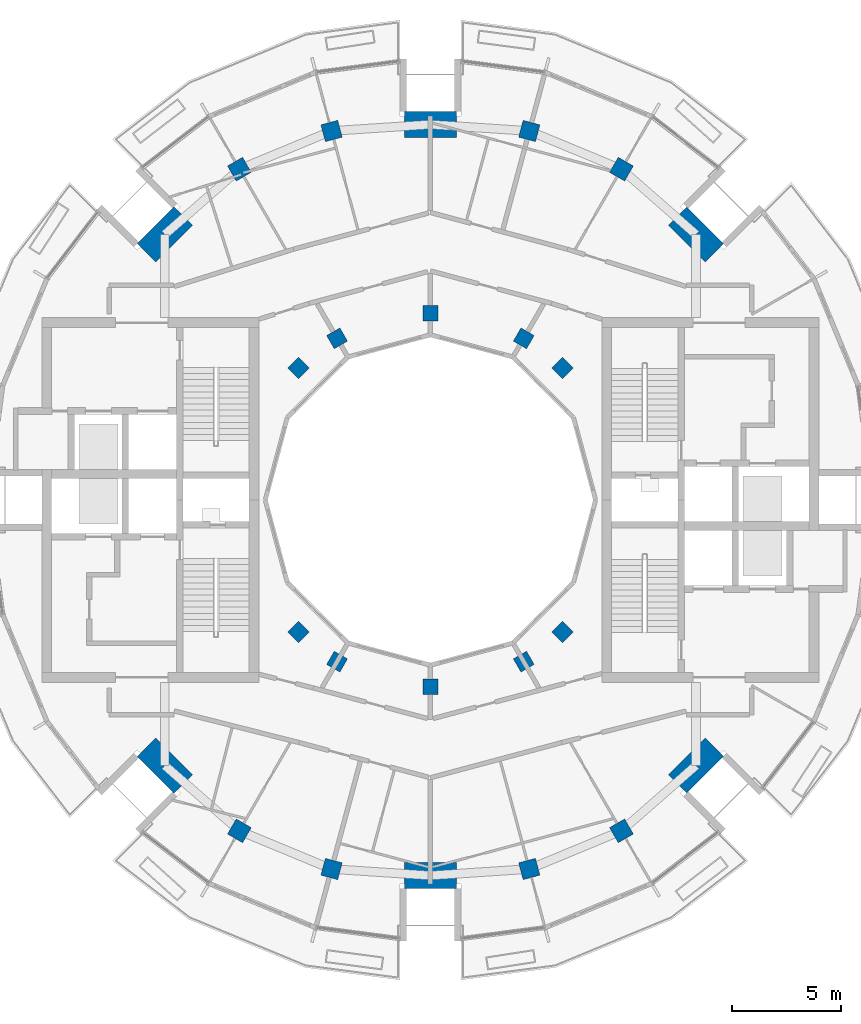
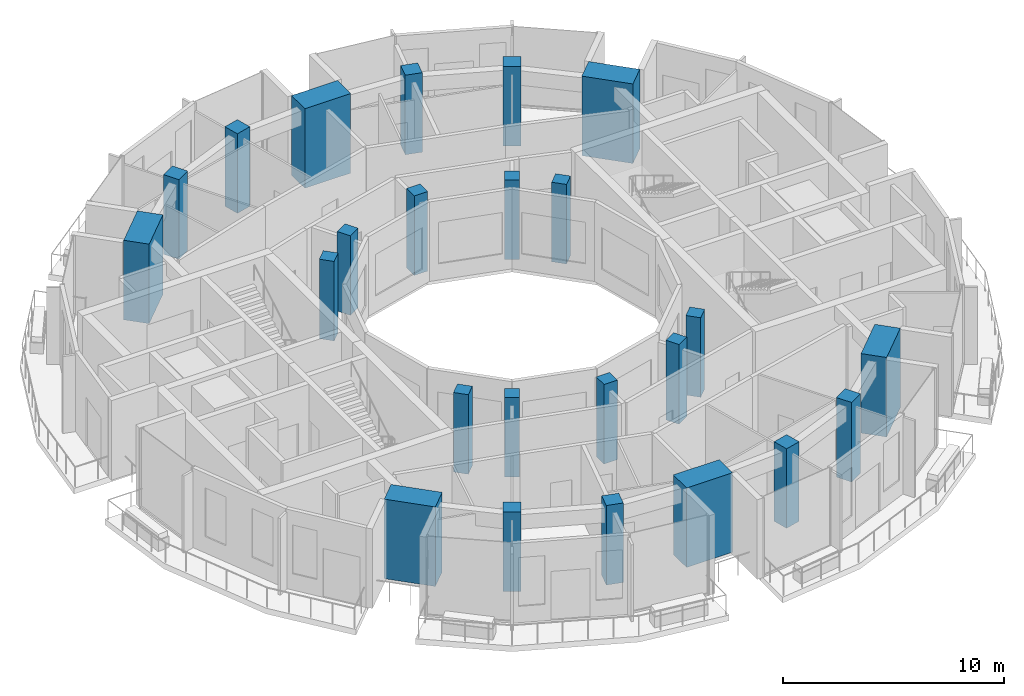
# One storey, part 1 of 15: 24 columns.
"""IFC4 building model written with IfcOpenShell, lengths in metres."""

from ifc_helpers import new_model, si_unit, direction, frame, origin, origin_2d, place, context, subcontext, project, spatial, rectangle, extrude, material, material_profile, profile_set, type_object, element, save


model = new_model("IFC4")

# Units and contexts
model_context = context("Model", 3, precision=1e-05, world=origin(), true_north=direction((0.0, 1.0)))
body_context = subcontext(model_context, "Body", "Model", "MODEL_VIEW")
ifc_project = project(units=[si_unit("LENGTHUNIT", "METRE"), si_unit("AREAUNIT", "SQUARE_METRE"), si_unit("VOLUMEUNIT", "CUBIC_METRE"), si_unit("PLANEANGLEUNIT", "RADIAN"), si_unit("MASSUNIT", "GRAM", prefix="KILO")], contexts=[model_context])

# Site, building, storey
site_placement = place(None, origin())
site = spatial("IfcSite", under=ifc_project, at=site_placement, CompositionType="ELEMENT")
building_placement = place(site_placement, origin())
building = spatial("IfcBuilding", under=site, at=building_placement, Name="Torre Brocal", CompositionType="ELEMENT")
storey_placement = place(building_placement, frame((0.0, 0.0, 314.89990234375)))
storey = spatial("IfcBuildingStorey", under=building, at=storey_placement, Name="L72", CompositionType="ELEMENT", Elevation=314.89990234375)

# Columns
ifc_material_1 = material(Name="Concrete C50", Category="concrete")
ifc_material_profile_1 = material_profile(ifc_material_1, rectangle(XDim=1.199951171875, YDim=2.39990234375, at=origin_2d()), Name="RC 1200X2400")
ifc_profile_set_1 = profile_set([ifc_material_profile_1], Name="Concrete C50")
column_type_1 = type_object("IfcColumnType", Name="RC COLUMN 1200X2400 C50", PredefinedType="COLUMN", material=ifc_profile_set_1)
for number, where, z_axis, x_axis, name in (
    (1, (92.23291015625, 87.23291015625, 0.0), (0.0, 0.0, 1.0), (0.707106781187, 0.707106781187, 0.0), "Column MCC-1"),
    (2, (80.0, 92.300048828125, 0.0), (0.0, 0.0, 1.0), (0.0, 1.0, 0.0), "Column MCC-2"),
    (3, (67.76708984375, 87.23291015625, 0.0), (0.0, 0.0, 1.0), (-0.707106781187, 0.707106781187, 0.0), "Column MCC-3"),
    (4, (67.76708984375, 62.76708984375, 0.0), (0.0, 0.0, 1.0), (-0.707106781187, -0.707106781187, 0.0), "Column MCC-5"),
    (5, (80.0, 57.699951171875, 0.0), (0.0, 0.0, 1.0), (0.0, -1.0, 0.0), "Column MCC-6"),
    (6, (92.23291015625, 62.76708984375, 0.0), (0.0, 0.0, 1.0), (0.707106781187, -0.707106781187, 0.0), "Column MCC-7"),
):
    element("IfcColumn", number, at=place(storey_placement, frame(where, z_axis=z_axis, x_axis=x_axis)), inside=storey, type_object=column_type_1, Name=name, PredefinedType="COLUMN", context=body_context, shape_type="SweptSolid", body=[
        extrude(rectangle(XDim=1.199951171875, YDim=2.39990234375, at=origin_2d()), origin(), (0.0, 0.0, 1.0), 4.400146484375),
    ])
ifc_material_2 = material(Name="Concrete C50", Category="concrete")
ifc_material_profile_2 = material_profile(ifc_material_2, rectangle(XDim=0.699951171875, YDim=0.699951171875, at=origin_2d()), Name="RC 700X700")
ifc_profile_set_2 = profile_set([ifc_material_profile_2], Name="Concrete C50")
column_type_2 = type_object("IfcColumnType", Name="RC COLUMN 700X700 C50", PredefinedType="COLUMN", material=ifc_profile_set_2)
for number, where, z_axis, x_axis, name in (
    (7, (86.0810546875, 81.0810546875, 0.0), (0.0, 0.0, 1.0), (0.707106781187, 0.707106781187, 0.0), "Column C-I03"),
    (8, (84.300048828125, 82.44775390625, 0.0), (0.0, 0.0, 1.0), (0.5, 0.866025403784, 0.0), "Column C-I04"),
    (9, (80.0, 83.60009765625, 0.0), (0.0, 0.0, 1.0), (0.0, 1.0, 0.0), "Column C-I06"),
    (10, (75.699951171875, 82.44775390625, 0.0), (0.0, 0.0, 1.0), (-0.5, 0.866025403784, 0.0), "Column C-I08"),
    (11, (73.9189453125, 81.0810546875, 0.0), (0.0, 0.0, 1.0), (-0.707106781187, 0.707106781187, 0.0), "Column C-I09"),
    (12, (73.9189453125, 68.9189453125, 0.0), (0.0, 0.0, 1.0), (-0.707106781187, -0.707106781187, 0.0), "Column C-I15"),
    (13, (75.699951171875, 67.55224609375, 0.0), (0.0, 0.0, 1.0), (-0.5, -0.866025403784, 0.0), "Column C-I16"),
    (14, (80.0, 66.39990234375, 0.0), (0.0, 0.0, 1.0), (0.0, -1.0, 0.0), "Column C-I18"),
    (15, (84.300048828125, 67.55224609375, 0.0), (0.0, 0.0, 1.0), (0.5, -0.866025403784, 0.0), "Column C-I20"),
    (16, (86.0810546875, 68.9189453125, 0.0), (0.0, 0.0, 1.0), (0.707106781187, -0.707106781187, 0.0), "Column C-I21"),
):
    element("IfcColumn", number, at=place(storey_placement, frame(where, z_axis=z_axis, x_axis=x_axis)), inside=storey, type_object=column_type_2, Name=name, PredefinedType="COLUMN", context=body_context, shape_type="SweptSolid", body=[
        extrude(rectangle(XDim=0.699951171875, YDim=0.699951171875, at=origin_2d()), origin(), (0.0, 0.0, 1.0), 4.400146484375),
    ])
ifc_material_3 = material(Name="Concrete C50", Category="concrete")
ifc_material_profile_3 = material_profile(ifc_material_3, rectangle(XDim=0.800048828125, YDim=0.800048828125, at=origin_2d()), Name="RC 800X800")
ifc_profile_set_3 = profile_set([ifc_material_profile_3], Name="Concrete C50")
column_type_3 = type_object("IfcColumnType", Name="RC COLUMN 800X800 C50", PredefinedType="COLUMN", material=ifc_profile_set_3)
for number, where, z_axis, x_axis, name in (
    (17, (88.800048828125, 90.241943359375, 0.0), (0.0, 0.0, 1.0), (0.5, 0.866025403784, 0.0), "Column C-M04"),
    (18, (84.55517578125, 92.000244140625, 0.0), (0.0, 0.0, 1.0), (0.258819045103, 0.965925826289, 0.0), "Column C-M05"),
    (19, (75.44482421875, 92.000244140625, 0.0), (0.0, 0.0, 1.0), (-0.258819045103, 0.965925826289, 0.0), "Column C-M07"),
    (20, (71.199951171875, 90.241943359375, 0.0), (0.0, 0.0, 1.0), (-0.5, 0.866025403784, 0.0), "Column C-M08"),
    (21, (71.199951171875, 59.758056640625, 0.0), (0.0, 0.0, 1.0), (-0.5, -0.866025403784, 0.0), "Column C-M16"),
    (22, (75.44482421875, 57.999755859375, 0.0), (0.0, 0.0, 1.0), (-0.258819045103, -0.965925826289, 0.0), "Column C-M17"),
    (23, (84.55517578125, 57.999755859375, 0.0), (0.0, 0.0, 1.0), (0.258819045103, -0.965925826289, 0.0), "Column C-M19"),
    (24, (88.800048828125, 59.758056640625, 0.0), (0.0, 0.0, 1.0), (0.5, -0.866025403784, 0.0), "Column C-M20"),
):
    element("IfcColumn", number, at=place(storey_placement, frame(where, z_axis=z_axis, x_axis=x_axis)), inside=storey, type_object=column_type_3, Name=name, PredefinedType="COLUMN", context=body_context, shape_type="SweptSolid", body=[
        extrude(rectangle(XDim=0.800048828125, YDim=0.800048828125, at=origin_2d()), origin(), (0.0, 0.0, 1.0), 4.400146484375),
    ])

save(model, "model.ifc")
